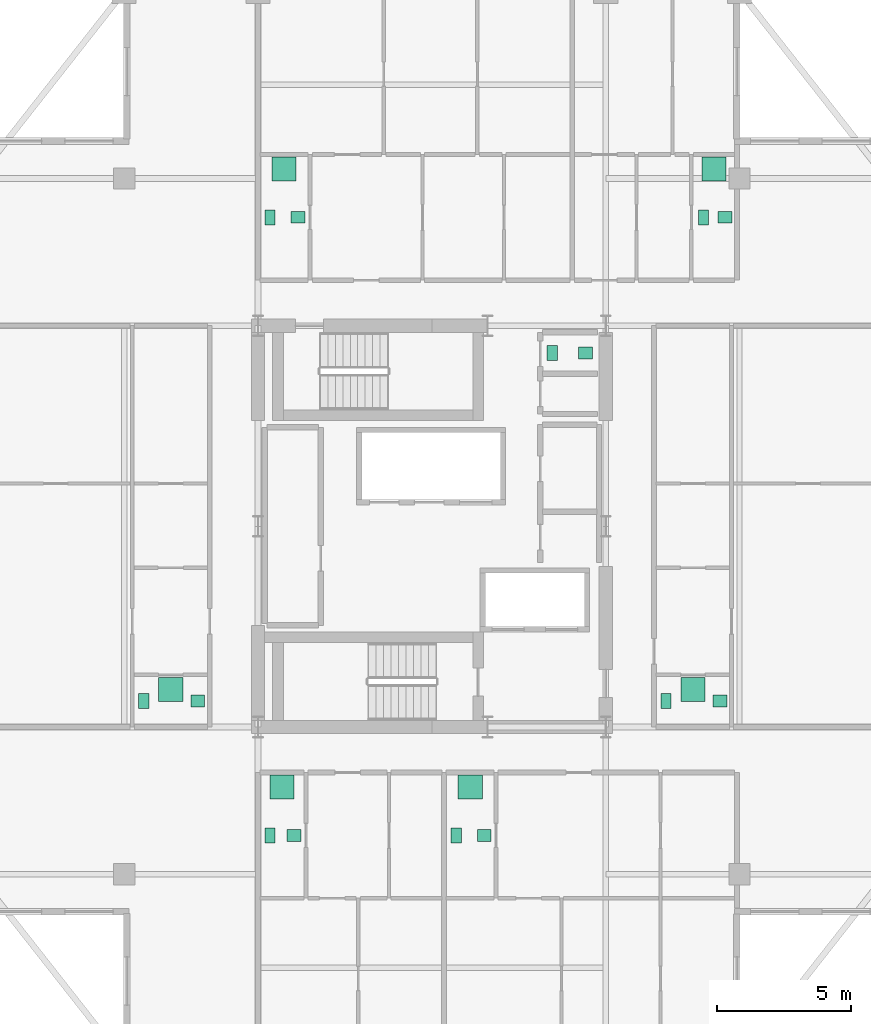
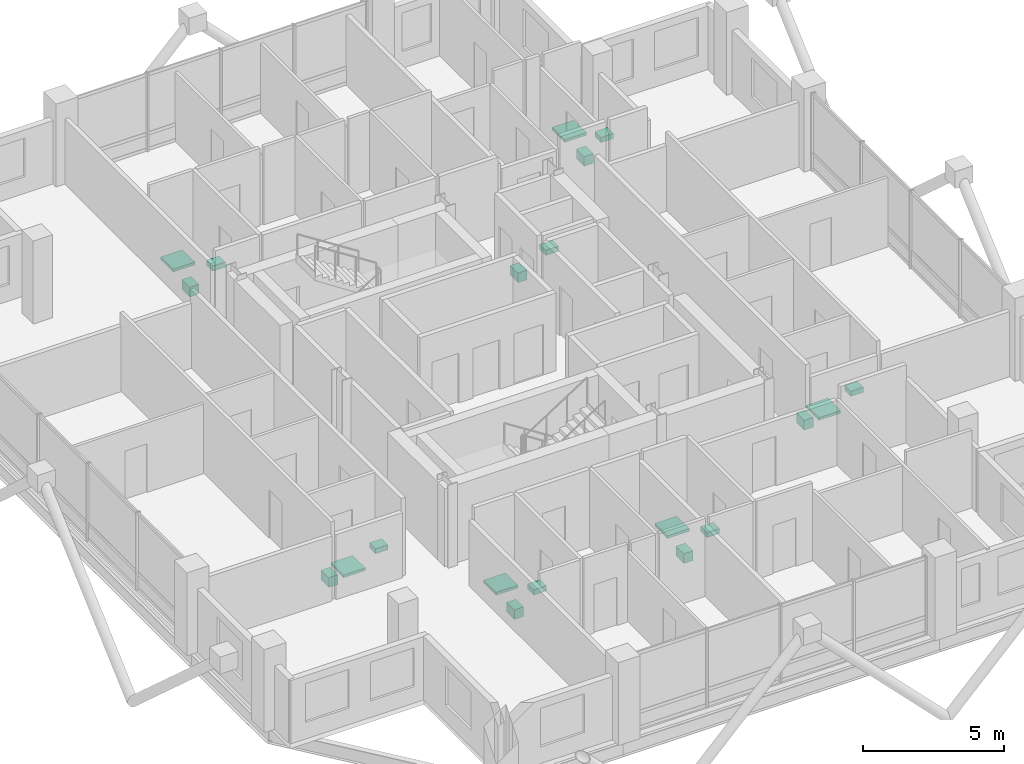
# One storey, part 24 of 24: 20 sanitary terminals.
"""IFC4 building model written with IfcOpenShell, lengths in metres."""

from ifc_helpers import new_model, si_unit, direction, frame, origin, origin_2d, place, context, subcontext, project, spatial, rectangle, extrude, material, type_object, element, save


model = new_model("IFC4")

# Units and contexts
model_context = context("Model", 3, precision=1e-05, world=origin(), true_north=direction((0.0, 1.0)))
body_context = subcontext(model_context, "Body", "Model", "MODEL_VIEW")
ifc_project = project(units=[si_unit("LENGTHUNIT", "METRE"), si_unit("AREAUNIT", "SQUARE_METRE"), si_unit("VOLUMEUNIT", "CUBIC_METRE"), si_unit("PLANEANGLEUNIT", "RADIAN"), si_unit("MASSUNIT", "GRAM", prefix="KILO")], contexts=[model_context])

# Site, building, storey
site_placement = place(None, origin())
site = spatial("IfcSite", under=ifc_project, at=site_placement, CompositionType="ELEMENT")
building_placement = place(site_placement, origin())
building = spatial("IfcBuilding", under=site, at=building_placement, Name="Barlavira Tower and Art Museum", CompositionType="ELEMENT")
storey_placement = place(building_placement, frame((0.0, 0.0, 225.89990234375)))
storey = spatial("IfcBuildingStorey", under=building, at=storey_placement, Name="L58", CompositionType="ELEMENT", Elevation=225.89990234375)

# Sanitary terminals
ifc_material = material(Name="Vitreous glazed ceramic", Category="ceramic")
sanitary_terminal_type_1 = type_object("IfcSanitaryTerminalType", Name="Countertop Ceramic Wash Hand Basin", PredefinedType="WASHHANDBASIN", material=ifc_material)
for number, where, z_axis, x_axis, name in (
    (1, (5.75, 6.47509765625, 0.740234375), (0.0, 0.0, 1.0), (1.0, 0.0, 0.0), "L58-C-WC1 Wash Basin"),
    (2, (-5.14990234375, -11.550048828125, 0.740234375), (0.0, 0.0, 1.0), (1.0, 0.0, 0.0), "L58-S1-BTH1 Wash Basin"),
    (3, (1.9599609375, -11.550048828125, 0.740234375), (0.0, 0.0, 1.0), (1.0, 0.0, 0.0), "L58-S2-BTH1 Wash Basin"),
    (4, (-5.0, 11.550048828125, 0.740234375), (0.0, 0.0, 1.0), (1.0, 0.0, 0.0), "L58-N1-BTH1 Wash Basin"),
    (5, (10.949951171875, 11.550048828125, 0.740234375), (0.0, 0.0, 1.0), (1.0, 0.0, 0.0), "L58-N2-BTH1 Wash Basin"),
    (6, (-8.75, -6.52490234375, 0.740234375), (0.0, 0.0, 1.0), (1.0, 0.0, 0.0), "L58-W1-BTH1 Wash Basin"),
    (7, (10.77001953125, -6.52490234375, 0.740234375), (0.0, 0.0, 1.0), (1.0, 0.0, 0.0), "L58-E1-BTH1 Wash Basin"),
):
    element("IfcSanitaryTerminal", number, at=place(storey_placement, frame(where, z_axis=z_axis, x_axis=x_axis)), inside=storey, type_object=sanitary_terminal_type_1, Name=name, PredefinedType="WASHHANDBASIN", context=body_context, shape_type="SweptSolid", body=[
        extrude(rectangle(XDim=0.52001953125, YDim=0.43994140625, at=origin_2d()), origin(), (0.0, 0.0, 1.0), 0.219970703125),
    ])
sanitary_terminal_type_2 = type_object("IfcSanitaryTerminalType", Name="Walk-In Thermostatic Rain Shower Unit", PredefinedType="SHOWER", material=ifc_material)
for number, where, z_axis, x_axis, name in (
    (8, (-5.60009765625, -9.75, 0.0), (0.0, 0.0, 1.0), (1.0, 0.0, 0.0), "L58-S1-BTH1 Rain Shower"),
    (9, (1.43505859375, -9.75, 0.0), (0.0, 0.0, 1.0), (1.0, 0.0, 0.0), "L58-S2-BTH1 Rain Shower"),
    (10, (-5.52490234375, 13.35009765625, 0.0), (0.0, 0.0, 1.0), (1.0, 0.0, 0.0), "L58-N1-BTH1 Rain Shower"),
    (11, (10.550048828125, 13.35009765625, 0.0), (0.0, 0.0, 1.0), (1.0, 0.0, 0.0), "L58-N2-BTH1 Rain Shower"),
    (12, (-9.760009765625, -6.10009765625, 0.0), (0.0, 0.0, 1.0), (1.0, 0.0, 0.0), "L58-W1-BTH1 Rain Shower"),
    (13, (9.760009765625, -6.10009765625, 0.0), (0.0, 0.0, 1.0), (1.0, 0.0, 0.0), "L58-E1-BTH1 Rain Shower"),
):
    element("IfcSanitaryTerminal", number, at=place(storey_placement, frame(where, z_axis=z_axis, x_axis=x_axis)), inside=storey, type_object=sanitary_terminal_type_2, Name=name, PredefinedType="SHOWER", context=body_context, shape_type="SweptSolid", body=[
        extrude(rectangle(XDim=0.89990234375, YDim=0.89990234375, at=origin_2d()), origin(), (0.0, 0.0, 1.0), 0.1201171875),
    ])
sanitary_terminal_type_3 = type_object("IfcSanitaryTerminalType", Name="Wall-Hung Dual-Flush Vitreous WC Pan", PredefinedType="TOILETPAN", material=ifc_material)
for number, where, z_axis, x_axis, name in (
    (14, (4.5, 6.47509765625, 0.000244140625), (0.0, 0.0, 1.0), (1.0, 0.0, 0.0), "L58-C-WC1 WC Pan"),
    (15, (-6.050048828125, -11.550048828125, 0.000244140625), (0.0, 0.0, 1.0), (1.0, 0.0, 0.0), "L58-S1-BTH1 WC Pan"),
    (16, (0.909912109375, -11.550048828125, 0.000244140625), (0.0, 0.0, 1.0), (1.0, 0.0, 0.0), "L58-S2-BTH1 WC Pan"),
    (17, (-6.050048828125, 11.550048828125, 0.000244140625), (0.0, 0.0, 1.0), (1.0, 0.0, 0.0), "L58-N1-BTH1 WC Pan"),
    (18, (10.14990234375, 11.550048828125, 0.000244140625), (0.0, 0.0, 1.0), (1.0, 0.0, 0.0), "L58-N2-BTH1 WC Pan"),
    (19, (-10.77001953125, -6.52490234375, 0.000244140625), (0.0, 0.0, 1.0), (1.0, 0.0, 0.0), "L58-W1-BTH1 WC Pan"),
    (20, (8.75, -6.52490234375, 0.000244140625), (0.0, 0.0, 1.0), (1.0, 0.0, 0.0), "L58-E1-BTH1 WC Pan"),
):
    element("IfcSanitaryTerminal", number, at=place(storey_placement, frame(where, z_axis=z_axis, x_axis=x_axis)), inside=storey, type_object=sanitary_terminal_type_3, Name=name, PredefinedType="TOILETPAN", context=body_context, shape_type="SweptSolid", body=[
        extrude(rectangle(XDim=0.3798828125, YDim=0.56005859375, at=origin_2d()), origin(), (0.0, 0.0, 1.0), 0.419921875),
    ])

save(model, "model.ifc")
